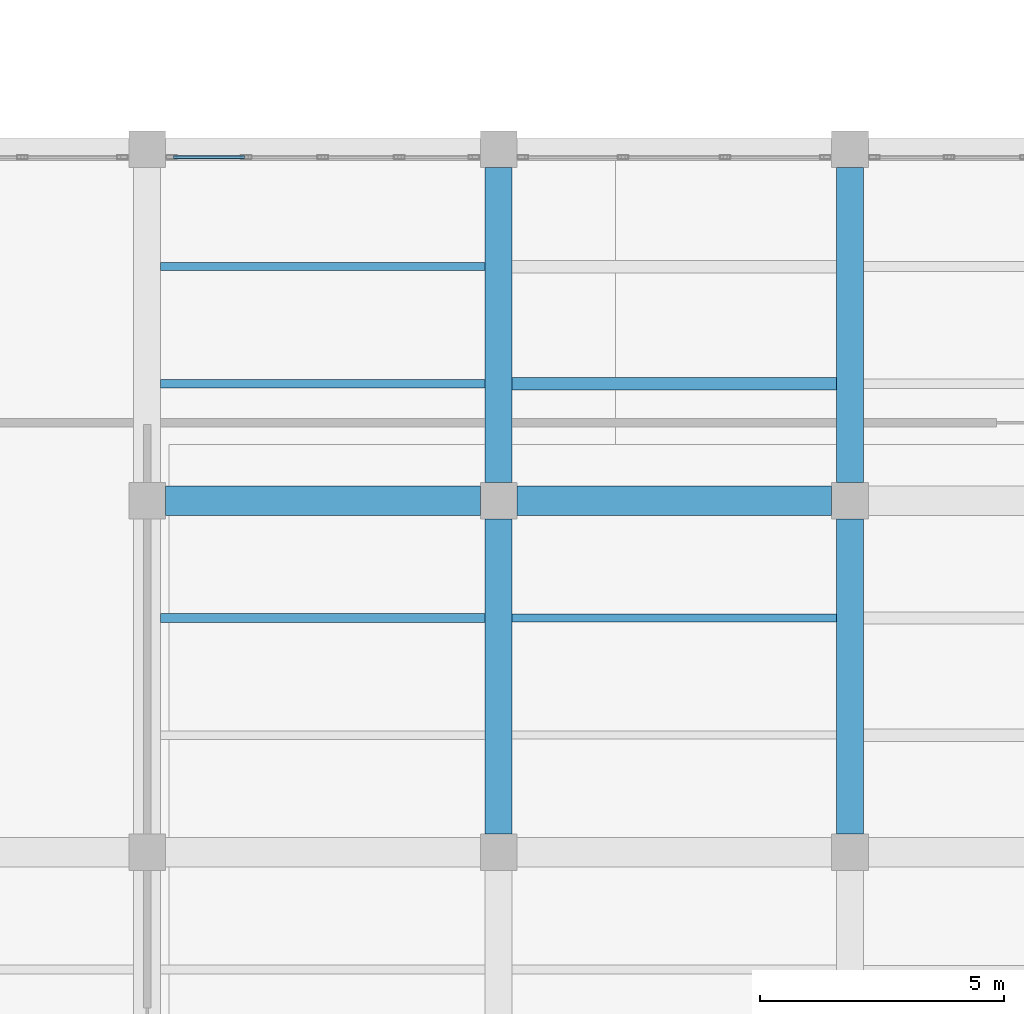
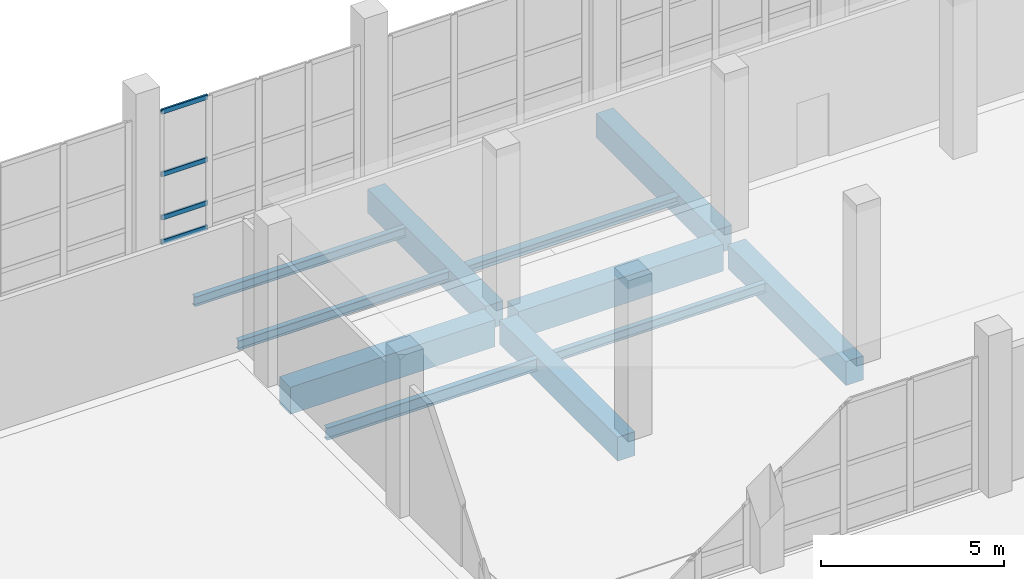
# One storey, part 37 of 137: 11 beams, 4 members, 1 element without a shape of its own.
"""IFC4 building model written with IfcOpenShell, lengths in metres."""

from ifc_helpers import new_model, si_unit, direction, frame, origin, origin_2d, place, context, subcontext, project, spatial, rectangle, hollow_rectangle, i_section, extrude, material, material_profile, profile_set, type_object, element, aggregate, save


model = new_model("IFC4")

# Units and contexts
model_context = context("Model", 3, precision=1e-05, world=origin(), true_north=direction((0.0, 1.0)))
body_context = subcontext(model_context, "Body", "Model", "MODEL_VIEW")
ifc_project = project(units=[si_unit("LENGTHUNIT", "METRE"), si_unit("AREAUNIT", "SQUARE_METRE"), si_unit("VOLUMEUNIT", "CUBIC_METRE"), si_unit("PLANEANGLEUNIT", "RADIAN"), si_unit("MASSUNIT", "GRAM", prefix="KILO")], contexts=[model_context])

# Site, building, storey
site_placement = place(None, origin())
site = spatial("IfcSite", under=ifc_project, at=site_placement, CompositionType="ELEMENT")
building_placement = place(site_placement, origin())
building = spatial("IfcBuilding", under=site, at=building_placement, Name="Kalmorath City Hall", CompositionType="ELEMENT")
storey_placement = place(building_placement, origin())
storey = spatial("IfcBuildingStorey", under=building, at=storey_placement, Name="L00", CompositionType="ELEMENT", Elevation=0.0)

# Beams
ifc_material_1 = material(Name="Concrete C40/50", Category="concrete")
ifc_material_profile_1 = material_profile(ifc_material_1, rectangle(XDim=0.550048828125, YDim=0.800048828125, at=origin_2d()), Name="RC-BM-550X800")
ifc_profile_set_1 = profile_set([ifc_material_profile_1], Name="Concrete C40/50")
beam_type_1 = type_object("IfcBeamType", Name="Concrete floor girder 550x800", PredefinedType="BEAM", material=ifc_profile_set_1)
for number, where, z_axis, x_axis, name in (
    (1, (86.39990234375, 29.175048828125, -0.7041015625), (0.0, 1.0, 0.0), (-1.0, 0.0, 0.0), "L00 girder CB2 Y13/5-6"),
    (2, (86.39990234375, 36.375, -0.7041015625), (0.0, 1.0, 0.0), (-1.0, 0.0, 0.0), "L00 girder CB2 Y13/6-7"),
    (3, (93.60009765625, 29.175048828125, -0.7041015625), (0.0, 1.0, 0.0), (-1.0, 0.0, 0.0), "L00 girder CB2 Y14/5-6"),
    (4, (93.60009765625, 36.375, -0.7041015625), (0.0, 1.0, 0.0), (-1.0, 0.0, 0.0), "L00 girder CB2 Y14/6-7"),
):
    element("IfcBeam", number, at=place(storey_placement, frame(where, z_axis=z_axis, x_axis=x_axis)), inside=storey, type_object=beam_type_1, Name=name, PredefinedType="BEAM", context=body_context, shape_type="SweptSolid", body=[
        extrude(rectangle(XDim=0.550048828125, YDim=0.800048828125, at=origin_2d()), origin(), (0.0, 0.0, 1.0), 6.449951171875),
    ])
ifc_material_2 = material(Name="Concrete C40/50", Category="concrete")
ifc_material_profile_2 = material_profile(ifc_material_2, rectangle(XDim=0.60009765625, YDim=0.89990234375, at=origin_2d()), Name="RC-BM-600X900")
ifc_profile_set_2 = profile_set([ifc_material_profile_2], Name="Concrete C40/50")
beam_type_2 = type_object("IfcBeamType", Name="Concrete floor girder 600x900", PredefinedType="BEAM", material=ifc_profile_set_2)
beam_1_placement = place(storey_placement, frame((79.574951171875, 36.0, -0.75390625), z_axis=(1.0, 0.0, 0.0), x_axis=(0.0, 1.0, 0.0)))
element("IfcBeam", 5, at=beam_1_placement, inside=storey, type_object=beam_type_2, Name="L00 girder CB1 X12-13/6", PredefinedType="BEAM", context=body_context, shape_type="SweptSolid", body=[
    extrude(rectangle(XDim=0.60009765625, YDim=0.89990234375, at=origin_2d()), origin(), (0.0, 0.0, 1.0), 6.449951171875),
])
beam_2_placement = place(storey_placement, frame((86.77490234375, 36.0, -0.75390625), z_axis=(1.0, 0.0, 0.0), x_axis=(0.0, 1.0, 0.0)))
element("IfcBeam", 6, at=beam_2_placement, inside=storey, type_object=beam_type_2, Name="L00 girder CB1 X13-14/6", PredefinedType="BEAM", context=body_context, shape_type="SweptSolid", body=[
    extrude(rectangle(XDim=0.60009765625, YDim=0.89990234375, at=origin_2d()), origin(), (0.0, 0.0, 1.0), 6.4501953125),
])

# Curtain wall, members
ifc_material_3 = material(Name="Anodised aluminium and laminated glass", Category="aluminium")
curtain_wall_type = type_object("IfcCurtainWallType", Name="Unitised hurricane curtain wall 6270x4411 M1500", PredefinedType="NOTDEFINED", material=ifc_material_3)
curtain_wall_placement = place(storey_placement, origin())
curtain_wall = element("IfcCurtainWall", 7, at=curtain_wall_placement, inside=storey, type_object=curtain_wall_type, Name="L00 curtain wall CW-63X44M15 #34", PredefinedType="NOTDEFINED")
ifc_material_4 = material(Name="Anodised aluminium framing", Category="aluminium")
ifc_material_profile_3 = material_profile(ifc_material_4, hollow_rectangle(XDim=0.06494140625, YDim=0.159912109375, WallThickness=0.00390625, InnerFilletRadius=0.00390625, OuterFilletRadius=0.008056640625, at=origin_2d()), Name="ALU-TRN-160X65X4")
ifc_profile_set_3 = profile_set([ifc_material_profile_3], Name="Anodised aluminium framing")
member_type = type_object("IfcMemberType", Name="Curtain-wall primary transom 160x65", PredefinedType="USERDEFINED", material=ifc_profile_set_3)
member_1_placement = place(storey_placement, frame((79.739990234375, 43.0400390625, 0.032470703125), z_axis=(1.0, 0.0, 0.0), x_axis=(0.0, 1.0, 0.0)))
member_1 = element("IfcMember", 8, at=member_1_placement, type_object=member_type, Name="CW-63X44M15 transom 1.1", ObjectType="TRANSOM", PredefinedType="USERDEFINED", context=body_context, shape_type="SweptSolid", body=[
    extrude(hollow_rectangle(XDim=0.06494140625, YDim=0.159912109375, WallThickness=0.00390625, InnerFilletRadius=0.00390625, OuterFilletRadius=0.008056640625, at=origin_2d()), origin(), (0.0, 0.0, 1.0), 1.455078125),
])
member_2_placement = place(storey_placement, frame((79.739990234375, 43.0400390625, 0.85009765625), z_axis=(1.0, 0.0, 0.0), x_axis=(0.0, 1.0, 0.0)))
member_2 = element("IfcMember", 9, at=member_2_placement, type_object=member_type, Name="CW-63X44M15 transom 1.2", ObjectType="TRANSOM", PredefinedType="USERDEFINED", context=body_context, shape_type="SweptSolid", body=[
    extrude(hollow_rectangle(XDim=0.06494140625, YDim=0.159912109375, WallThickness=0.00390625, InnerFilletRadius=0.00390625, OuterFilletRadius=0.008056640625, at=origin_2d()), origin(), (0.0, 0.0, 1.0), 1.455078125),
])
member_3_placement = place(storey_placement, frame((79.739990234375, 43.0400390625, 2.2939453125), z_axis=(1.0, 0.0, 0.0), x_axis=(0.0, 1.0, 0.0)))
member_3 = element("IfcMember", 10, at=member_3_placement, type_object=member_type, Name="CW-63X44M15 transom 1.3", ObjectType="TRANSOM", PredefinedType="USERDEFINED", context=body_context, shape_type="SweptSolid", body=[
    extrude(hollow_rectangle(XDim=0.06494140625, YDim=0.159912109375, WallThickness=0.00390625, InnerFilletRadius=0.00390625, OuterFilletRadius=0.008056640625, at=origin_2d()), origin(), (0.0, 0.0, 1.0), 1.455078125),
])
member_4_placement = place(storey_placement, frame((79.739990234375, 43.0400390625, 4.37841796875), z_axis=(1.0, 0.0, 0.0), x_axis=(0.0, 1.0, 0.0)))
member_4 = element("IfcMember", 11, at=member_4_placement, type_object=member_type, Name="CW-63X44M15 transom 1.4", ObjectType="TRANSOM", PredefinedType="USERDEFINED", context=body_context, shape_type="SweptSolid", body=[
    extrude(hollow_rectangle(XDim=0.06494140625, YDim=0.159912109375, WallThickness=0.00390625, InnerFilletRadius=0.00390625, OuterFilletRadius=0.008056640625, at=origin_2d()), origin(), (0.0, 0.0, 1.0), 1.455078125),
])
aggregate(curtain_wall, [member_1, member_2, member_3, member_4])

# Beams
ifc_material_5 = material(Name="Steel ASTM A992 Grade 50", Category="steel")
ifc_material_profile_4 = material_profile(ifc_material_5, i_section(OverallWidth=0.177001953125, OverallDepth=0.403076171875, WebThickness=0.007568359375, FlangeThickness=0.010986328125, FilletRadius=0.012939453125, at=origin_2d()), Name="W16X36")
ifc_profile_set_4 = profile_set([ifc_material_profile_4], Name="Steel ASTM A992 Grade 50")
beam_type_3 = type_object("IfcBeamType", Name="Steel composite joist W16X36", PredefinedType="JOIST", material=ifc_profile_set_4)
beam_3_placement = place(storey_placement, frame((79.47509765625, 33.60009765625, -0.505615234375), z_axis=(1.0, 0.0, 0.0), x_axis=(0.0, 1.0, 0.0)))
element("IfcBeam", 12, at=beam_3_placement, inside=storey, type_object=beam_type_3, Name="L00 joist SJ7 12.5.2", PredefinedType="JOIST", context=body_context, shape_type="SweptSolid", body=[
    extrude(i_section(OverallWidth=0.177001953125, OverallDepth=0.403076171875, WebThickness=0.007568359375, FlangeThickness=0.010986328125, FilletRadius=0.012939453125, at=origin_2d()), origin(), (0.0, 0.0, 1.0), 6.64990234375),
])
ifc_material_6 = material(Name="Steel ASTM A992 Grade 50", Category="steel")
ifc_material_profile_5 = material_profile(ifc_material_6, i_section(OverallWidth=0.1669921875, OverallDepth=0.318115234375, WebThickness=0.007568359375, FlangeThickness=0.01318359375, FilletRadius=0.012939453125, at=origin_2d()), Name="W12X35")
ifc_profile_set_5 = profile_set([ifc_material_profile_5], Name="Steel ASTM A992 Grade 50")
beam_type_4 = type_object("IfcBeamType", Name="Steel header lintel W12X35", PredefinedType="LINTEL", material=ifc_profile_set_5)
for number, where, z_axis, x_axis, name in (
    (13, (79.47509765625, 38.39990234375, -0.462890625), (1.0, 0.0, 0.0), (0.0, 1.0, 0.0), "L00 joist SJ13 12.6.1"),
    (14, (79.47509765625, 40.800048828125, -0.462890625), (1.0, 0.0, 0.0), (0.0, 1.0, 0.0), "L00 joist SJ13 12.6.2"),
    (15, (86.675048828125, 33.60009765625, -0.462890625), (1.0, 0.0, 0.0), (0.0, 1.0, 0.0), "L00 joist SJ13 13.5.2"),
):
    element("IfcBeam", number, at=place(storey_placement, frame(where, z_axis=z_axis, x_axis=x_axis)), inside=storey, type_object=beam_type_4, Name=name, PredefinedType="LINTEL", context=body_context, shape_type="SweptSolid", body=[
        extrude(i_section(OverallWidth=0.1669921875, OverallDepth=0.318115234375, WebThickness=0.007568359375, FlangeThickness=0.01318359375, FilletRadius=0.012939453125, at=origin_2d()), origin(), (0.0, 0.0, 1.0), 6.64990234375),
    ])
ifc_material_7 = material(Name="Steel ASTM A992 Grade 50", Category="steel")
ifc_material_profile_6 = material_profile(ifc_material_7, i_section(OverallWidth=0.25390625, OverallDepth=0.2529296875, WebThickness=0.008544921875, FlangeThickness=0.01416015625, FilletRadius=0.011962890625, at=origin_2d()), Name="W10X49")
ifc_profile_set_6 = profile_set([ifc_material_profile_6], Name="Steel ASTM A992 Grade 50")
beam_type_5 = type_object("IfcBeamType", Name="Steel trimmer beam W10X49", PredefinedType="BEAM", material=ifc_profile_set_6)
beam_4_placement = place(storey_placement, frame((86.675048828125, 38.39990234375, -0.430419921875), z_axis=(1.0, 0.0, 0.0), x_axis=(0.0, 1.0, 0.0)))
element("IfcBeam", 16, at=beam_4_placement, inside=storey, type_object=beam_type_5, Name="L00 joist SJ14 13.6.1", PredefinedType="BEAM", context=body_context, shape_type="SweptSolid", body=[
    extrude(i_section(OverallWidth=0.25390625, OverallDepth=0.2529296875, WebThickness=0.008544921875, FlangeThickness=0.01416015625, FilletRadius=0.011962890625, at=origin_2d()), origin(), (0.0, 0.0, 1.0), 6.64990234375),
])

save(model, "model.ifc")
